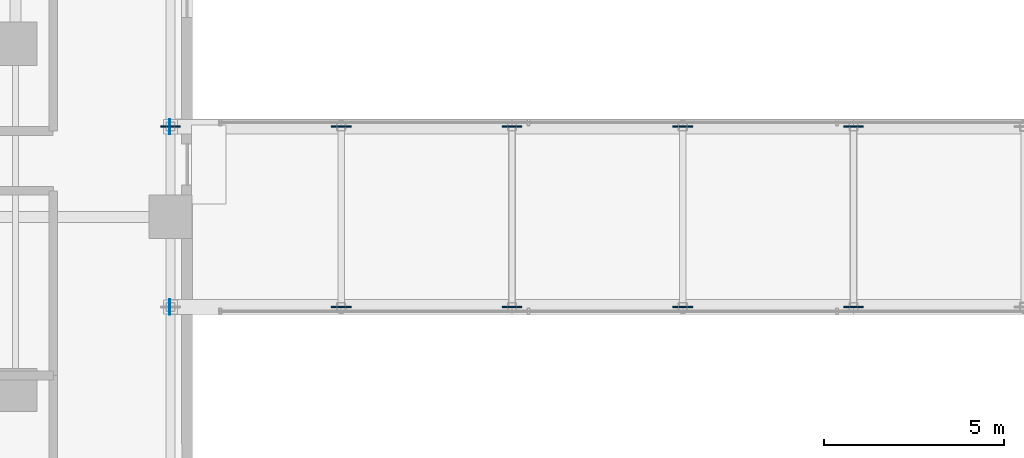
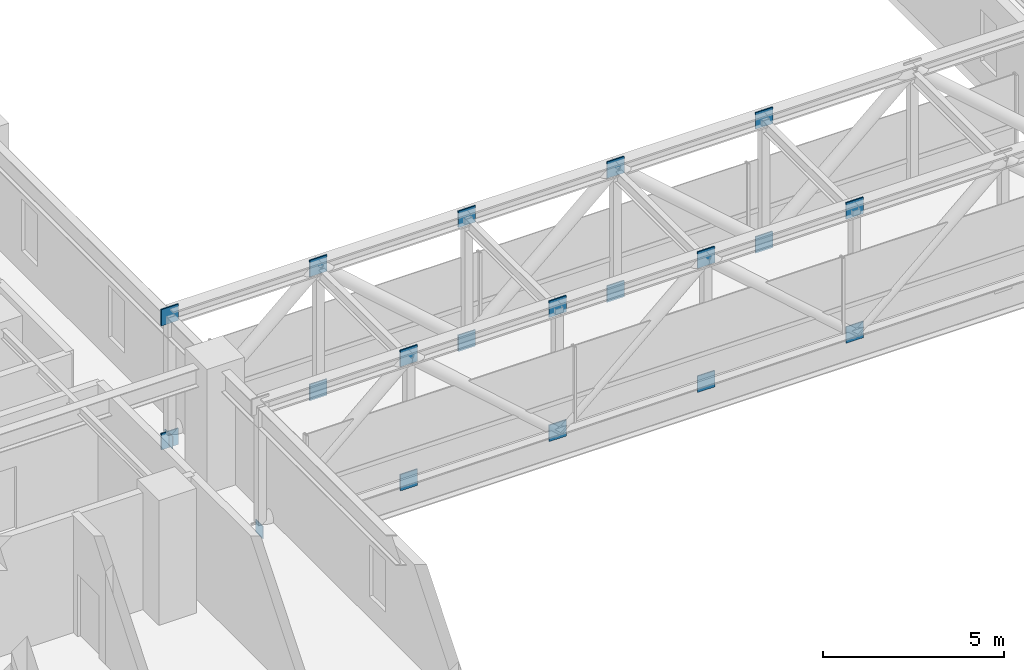
# One storey, part 30 of 45: 20 plates.
"""IFC4 building model written with IfcOpenShell, lengths in metres."""

import ifcopenshell
import ifcopenshell.guid

model = None  # the IFC model being written
_history = None  # IfcOwnerHistory: only IFC2X3 demands one
_inside = {}  # id of a spatial element -> (the spatial element, [elements in it])
_under = {}  # id of a project, library or spatial element -> (it, [spatial elements below it])
_declared = {}  # id of a project -> (the project, [libraries it declares])
_typed = {}  # id of a type object -> (the type object, [elements of that type])
_made_of = {}  # id of a material, layer set ... -> (it, [elements and type objects made of it])


def new_model(schema):
    """Start an empty IFC model of exactly this schema.

    Asked for "IFC4X3", IfcOpenShell would pick the latest addendum, in which some entities
    have other attributes; the version numbers below select the first issue.
    IFC2X3 requires an IfcOwnerHistory on every rooted entity: one is made here for all.
    """
    global model, _history
    if schema == "IFC4X3":
        model = ifcopenshell.file(schema_version=(4, 3, 0, 0))
    else:
        model = ifcopenshell.file(schema=schema)
    _inside.clear()
    _under.clear()
    _declared.clear()
    _typed.clear()
    _made_of.clear()
    _history = None
    if model.schema == "IFC2X3":
        org = make("IfcOrganization", Name="unknown")
        user = make(
            "IfcPersonAndOrganization",
            ThePerson=make("IfcPerson", FamilyName="unknown"),
            TheOrganization=org,
        )
        app = make(
            "IfcApplication",
            ApplicationDeveloper=org,
            Version="unknown",
            ApplicationFullName="unknown",
            ApplicationIdentifier="unknown",
        )
        _history = make(
            "IfcOwnerHistory",
            OwningUser=user,
            OwningApplication=app,
            ChangeAction="ADDED",
            CreationDate=0,
        )
    return model


def make(cls, **values):
    """One entity of the class cls with the attributes given. An attribute that is None is left unset."""
    return model.create_entity(
        cls, **{name: value for name, value in values.items() if value is not None}
    )


def rooted(cls, **values):
    """An entity with a GlobalId (a new one), such as an element, a storey or a relation."""
    return make(cls, GlobalId=ifcopenshell.guid.new(), OwnerHistory=_history, **values)


def si_unit(unit_type, name, prefix=None):
    """IfcSIUnit, for example si_unit("LENGTHUNIT", "METRE", prefix="MILLI")."""
    return make("IfcSIUnit", UnitType=unit_type, Prefix=prefix, Name=name)


def assignment(units):
    """IfcUnitAssignment: the units of a project."""
    return None if units is None else make("IfcUnitAssignment", Units=units)


def point(xyz):
    """IfcCartesianPoint."""
    return None if xyz is None else make("IfcCartesianPoint", Coordinates=xyz)


def direction(xyz):
    """IfcDirection."""
    return None if xyz is None else make("IfcDirection", DirectionRatios=xyz)


def frame(location, z_axis=None, x_axis=None):
    """IfcAxis2Placement3D, a coordinate frame: its origin and axes. An axis left out is left unset."""
    return make(
        "IfcAxis2Placement3D",
        Location=point(location),
        Axis=direction(z_axis),
        RefDirection=direction(x_axis),
    )


def frame_2d(location, x_axis=None):
    """IfcAxis2Placement2D, a coordinate frame in the plane: its origin and x axis."""
    return make(
        "IfcAxis2Placement2D", Location=point(location), RefDirection=direction(x_axis)
    )


def origin():
    """The frame at (0, 0, 0) with its axes left unset."""
    return frame((0.0, 0.0, 0.0))


def origin_2d():
    """The frame at (0, 0) in the plane with its x axis left unset."""
    return frame_2d((0.0, 0.0))


def place(relative_to, where):
    """IfcLocalPlacement: puts the frame where relative to a parent placement (None: the world)."""
    return make(
        "IfcLocalPlacement", PlacementRelTo=relative_to, RelativePlacement=where
    )


def context(
    kind, dimensions, precision=None, world=None, true_north=None, identifier=None
):
    """IfcGeometricRepresentationContext, for example the 3D "Model" context."""
    return make(
        "IfcGeometricRepresentationContext",
        ContextIdentifier=identifier,
        ContextType=kind,
        CoordinateSpaceDimension=dimensions,
        Precision=precision,
        WorldCoordinateSystem=world,
        TrueNorth=true_north,
    )


def subcontext(parent, identifier, kind, view, scale=None):
    """IfcGeometricRepresentationSubContext, for example "Body" below "Model"."""
    return make(
        "IfcGeometricRepresentationSubContext",
        ContextIdentifier=identifier,
        ContextType=kind,
        ParentContext=parent,
        TargetScale=scale,
        TargetView=view,
    )


def project(units=None, contexts=None):
    """IfcProject with its units and contexts."""
    return rooted(
        "IfcProject",
        Name="project",
        RepresentationContexts=contexts,
        UnitsInContext=assignment(units),
    )


def spatial(cls, under=None, at=None, **own):
    """A site, building, storey or space (cls), placed at a placement, below another one or the project."""
    s = rooted(cls, ObjectPlacement=at, **own)
    if under is not None:
        _under.setdefault(under.id(), (under, []))[1].append(s)
    return s


def profile(cls, at=None, kind="AREA", **sizes):
    """A parametric profile (cls). Its sizes go by their IFC names, for example OverallWidth=200.0."""
    return make(cls, ProfileType=kind, Position=at, **sizes)


def rectangle(**sizes):
    """IfcRectangleProfileDef."""
    return profile("IfcRectangleProfileDef", **sizes)


def extrude(swept, where, along, depth):
    """IfcExtrudedAreaSolid: the profile swept, set in the frame where, extruded along a direction by depth."""
    return make(
        "IfcExtrudedAreaSolid",
        SweptArea=swept,
        Position=where,
        ExtrudedDirection=direction(along),
        Depth=depth,
    )


def shape(context_of_items, identifier, shape_type, items):
    """IfcShapeRepresentation: the items that make up one representation, for example the "Body"."""
    return make(
        "IfcShapeRepresentation",
        ContextOfItems=context_of_items,
        RepresentationIdentifier=identifier,
        RepresentationType=shape_type,
        Items=items,
    )


def material(Name=None, Category=None):
    """IfcMaterial."""
    return make("IfcMaterial", Name=Name, Category=Category)


def layer(
    of_material, thickness, ventilated=None, Name=None, Category=None, Priority=None
):
    """IfcMaterialLayer: one layer of a wall or slab, of a material (None: an air gap)."""
    return make(
        "IfcMaterialLayer",
        Material=of_material,
        LayerThickness=thickness,
        IsVentilated=ventilated,
        Name=Name,
        Category=Category,
        Priority=Priority,
    )


def layer_set(layers, Name=None):
    """IfcMaterialLayerSet."""
    return make("IfcMaterialLayerSet", MaterialLayers=layers, LayerSetName=Name)


def made_of(thing, what):
    """Note that an element or type object is made of a material, layer set ...; save() writes the relation."""
    if what is not None:
        _made_of.setdefault(what.id(), (what, []))[1].append(thing)
    return thing


def type_object(cls, material=None, **own):
    """A type object (cls), such as IfcWallType, which elements share."""
    return made_of(rooted(cls, **own), material)


def element(
    cls,
    number,
    at=None,
    inside=None,
    cuts=None,
    type_object=None,
    material=None,
    context=None,
    identifier="Body",
    shape_type=None,
    held_by="IfcProductDefinitionShape",
    body=None,
    shapes=None,
    **own,
):
    """One element of the class cls, such as IfcWall. Its Tag is "e" and its number.

    at: its placement. inside: the storey or other place that contains it. cuts: it is an
    opening in that element (IfcRelVoidsElement). A single representation is given by context,
    identifier, shape_type and body (its items); several are given by shapes. held_by: the class
    of the entity that holds the representations. save() writes the other relations.
    """
    e = rooted(cls, Tag="e%d" % number, ObjectPlacement=at, **own)
    if body is not None:
        shapes = [shape(context, identifier, shape_type, body)]
    if shapes is not None:
        e.Representation = make(held_by, Representations=shapes)
    if inside is not None:
        _inside.setdefault(inside.id(), (inside, []))[1].append(e)
    if cuts is not None:
        rooted(
            "IfcRelVoidsElement", RelatingBuildingElement=cuts, RelatedOpeningElement=e
        )
    if type_object is not None:
        _typed.setdefault(type_object.id(), (type_object, []))[1].append(e)
    return made_of(e, material)


def aggregate(whole, parts):
    """IfcRelAggregates: a whole, such as a stair, and the parts it consists of."""
    return rooted("IfcRelAggregates", RelatingObject=whole, RelatedObjects=parts)


def save(model, path):
    """Write the relations noted so far, then the file.

    IfcRelAggregates (storeys below a building ...), IfcRelContainedInSpatialStructure (elements
    in a storey), IfcRelDefinesByType, IfcRelAssociatesMaterial and IfcRelDeclares: one each for
    every whole, place, type object, material and project.
    """
    for whole, parts in _under.values():
        aggregate(whole, parts)
    for where, things in _inside.values():
        rooted(
            "IfcRelContainedInSpatialStructure",
            RelatedElements=things,
            RelatingStructure=where,
        )
    for kind, things in _typed.values():
        rooted("IfcRelDefinesByType", RelatedObjects=things, RelatingType=kind)
    for what, things in _made_of.values():
        rooted("IfcRelAssociatesMaterial", RelatedObjects=things, RelatingMaterial=what)
    for by, libraries in _declared.values():
        rooted("IfcRelDeclares", RelatingContext=by, RelatedDefinitions=libraries)
    model.write(path)


model = new_model("IFC4")

# Units and contexts
model_context = context("Model", 3, precision=1e-05, world=origin(), true_north=direction((0.0, 1.0)))
body_context = subcontext(model_context, "Body", "Model", "MODEL_VIEW")
ifc_project = project(units=[si_unit("LENGTHUNIT", "METRE"), si_unit("AREAUNIT", "SQUARE_METRE"), si_unit("VOLUMEUNIT", "CUBIC_METRE"), si_unit("PLANEANGLEUNIT", "RADIAN"), si_unit("MASSUNIT", "GRAM", prefix="KILO")], contexts=[model_context])

# Site, building, storey
site_placement = place(None, origin())
site = spatial("IfcSite", under=ifc_project, at=site_placement, CompositionType="ELEMENT")
building_placement = place(site_placement, origin())
building = spatial("IfcBuilding", under=site, at=building_placement, Name="Thornwick Lancets Civic Towers", CompositionType="ELEMENT")
storey_placement = place(building_placement, frame((0.0, 0.0, 141.300048828125)))
storey = spatial("IfcBuildingStorey", under=building, at=storey_placement, Name="L37", CompositionType="ELEMENT", Elevation=141.300048828125)

# Plates
ifc_material_1 = material(Name="Steel S355JR", Category="steel")
ifc_layer_1 = layer(ifc_material_1, 0.02490234375, Name="Steel S355JR")
ifc_layer_set_1 = layer_set([ifc_layer_1], Name="Steel S355JR")
plate_type_1 = type_object("IfcPlateType", Name="PLT_ENDCAP_25", PredefinedType="USERDEFINED", material=ifc_layer_set_1)
for number, where, z_axis, x_axis, name in (
    (1, (42.780029296875, 24.5, -0.429931640625), (0.0, 0.0, 1.0), (1.0, 0.0, 0.0), "L37 Skybridge End Cap 1-W"),
    (2, (42.780029296875, 29.5, -0.429931640625), (0.0, 0.0, 1.0), (1.0, 0.0, 0.0), "L37 Skybridge End Cap 2-W"),
):
    element("IfcPlate", number, at=place(storey_placement, frame(where, z_axis=z_axis, x_axis=x_axis)), inside=storey, type_object=plate_type_1, Name=name, ObjectType="END_CAP_PLATE", PredefinedType="USERDEFINED", context=body_context, shape_type="SweptSolid", body=[
        extrude(rectangle(XDim=0.02490234375, YDim=0.419921875, at=origin_2d()), origin(), (0.0, 0.0, 1.0), 0.419921875),
    ])
ifc_material_2 = material(Name="Steel S460M", Category="steel")
ifc_layer_2 = layer(ifc_material_2, 0.0400390625, Name="Steel S460M")
ifc_layer_set_2 = layer_set([ifc_layer_2], Name="Steel S460M")
plate_type_2 = type_object("IfcPlateType", Name="PLT_GUSSET_40", PredefinedType="USERDEFINED", material=ifc_layer_set_2)
for number, where, z_axis, x_axis, name in (
    (3, (47.533203125, 24.5, -0.4951171875), (0.0, 0.0, 1.0), (1.0, 0.0, 0.0), "L37 Brace Connection Gusset Plate 0181"),
    (4, (47.533203125, 24.5, 3.68505859375), (0.0, 0.0, 1.0), (1.0, 0.0, 0.0), "L37 Brace Connection Gusset Plate 0182"),
    (5, (52.2666015625, 24.5, -0.4951171875), (0.0, 0.0, 1.0), (1.0, 0.0, 0.0), "L37 Brace Connection Gusset Plate 0183"),
    (6, (52.2666015625, 24.5, 3.68505859375), (0.0, 0.0, 1.0), (1.0, 0.0, 0.0), "L37 Brace Connection Gusset Plate 0184"),
    (7, (57.0, 24.5, -0.4951171875), (0.0, 0.0, 1.0), (1.0, 0.0, 0.0), "L37 Brace Connection Gusset Plate 0185"),
    (8, (57.0, 24.5, 3.68505859375), (0.0, 0.0, 1.0), (1.0, 0.0, 0.0), "L37 Brace Connection Gusset Plate 0186"),
    (9, (61.7333984375, 24.5, -0.4951171875), (0.0, 0.0, 1.0), (1.0, 0.0, 0.0), "L37 Brace Connection Gusset Plate 0187"),
    (10, (61.7333984375, 24.5, 3.68505859375), (0.0, 0.0, 1.0), (1.0, 0.0, 0.0), "L37 Brace Connection Gusset Plate 0188"),
    (11, (42.800048828125, 29.5, -0.4951171875), (0.0, 0.0, 1.0), (1.0, 0.0, 0.0), "L37 Brace Connection Gusset Plate 0193"),
    (12, (42.800048828125, 29.5, 3.68505859375), (0.0, 0.0, 1.0), (1.0, 0.0, 0.0), "L37 Brace Connection Gusset Plate 0194"),
    (13, (47.533203125, 29.5, -0.4951171875), (0.0, 0.0, 1.0), (1.0, 0.0, 0.0), "L37 Brace Connection Gusset Plate 0195"),
    (14, (47.533203125, 29.5, 3.68505859375), (0.0, 0.0, 1.0), (1.0, 0.0, 0.0), "L37 Brace Connection Gusset Plate 0196"),
    (15, (52.2666015625, 29.5, -0.4951171875), (0.0, 0.0, 1.0), (1.0, 0.0, 0.0), "L37 Brace Connection Gusset Plate 0197"),
    (16, (52.2666015625, 29.5, 3.68505859375), (0.0, 0.0, 1.0), (1.0, 0.0, 0.0), "L37 Brace Connection Gusset Plate 0198"),
    (17, (57.0, 29.5, -0.4951171875), (0.0, 0.0, 1.0), (1.0, 0.0, 0.0), "L37 Brace Connection Gusset Plate 0199"),
    (18, (57.0, 29.5, 3.68505859375), (0.0, 0.0, 1.0), (1.0, 0.0, 0.0), "L37 Brace Connection Gusset Plate 0200"),
    (19, (61.7333984375, 29.5, -0.4951171875), (0.0, 0.0, 1.0), (1.0, 0.0, 0.0), "L37 Brace Connection Gusset Plate 0201"),
    (20, (61.7333984375, 29.5, 3.68505859375), (0.0, 0.0, 1.0), (1.0, 0.0, 0.0), "L37 Brace Connection Gusset Plate 0202"),
):
    element("IfcPlate", number, at=place(storey_placement, frame(where, z_axis=z_axis, x_axis=x_axis)), inside=storey, type_object=plate_type_2, Name=name, ObjectType="GUSSET_PLATE", PredefinedType="USERDEFINED", context=body_context, shape_type="SweptSolid", body=[
        extrude(rectangle(XDim=0.550048828125, YDim=0.0400390625, at=origin_2d()), origin(), (0.0, 0.0, 1.0), 0.550048828125),
    ])

save(model, "model.ifc")
